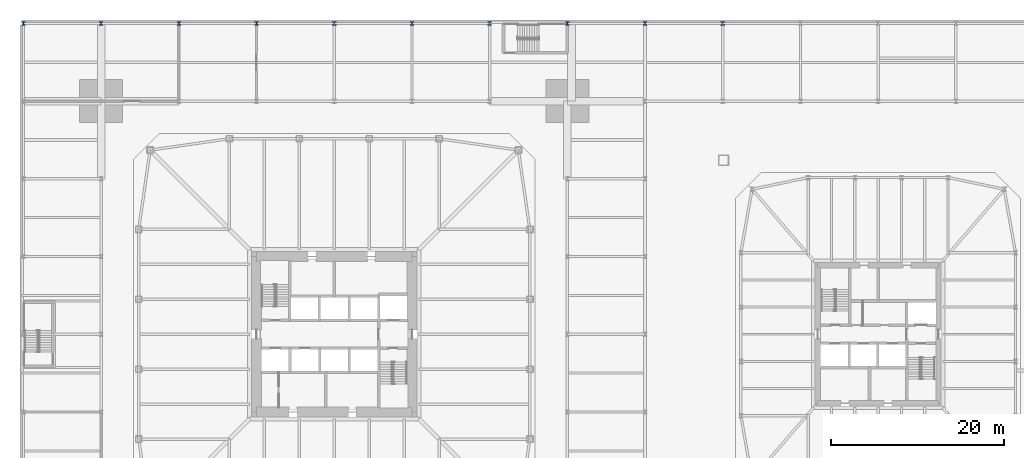
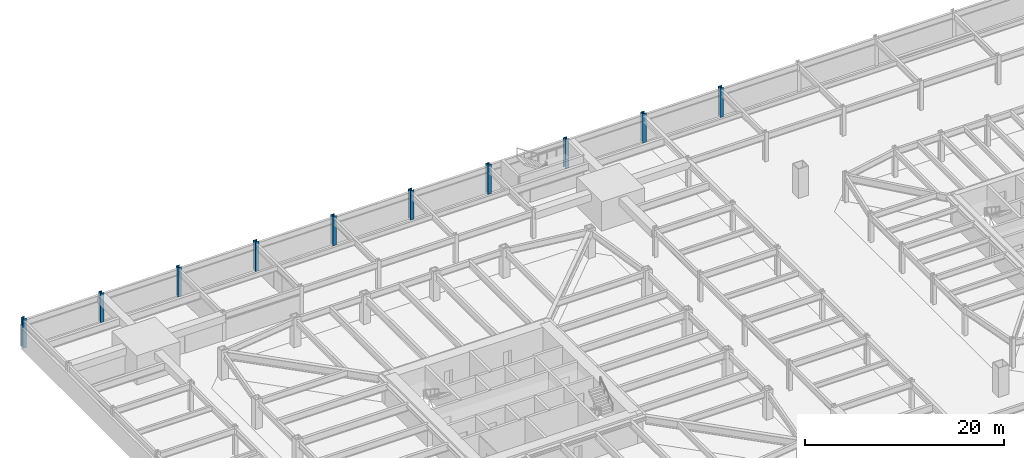
# One storey, part 4 of 17: 10 columns.
"""IFC4 building model written with IfcOpenShell, lengths in metres."""

from ifc_helpers import new_model, si_unit, direction, frame, origin, origin_2d, place, context, subcontext, project, spatial, i_section, extrude, material, material_profile, profile_set, type_object, element, save


model = new_model("IFC4")

# Units and contexts
model_context = context("Model", 3, precision=1e-05, world=origin(), true_north=direction((0.0, 1.0)))
body_context = subcontext(model_context, "Body", "Model", "MODEL_VIEW")
ifc_project = project(units=[si_unit("LENGTHUNIT", "METRE"), si_unit("AREAUNIT", "SQUARE_METRE"), si_unit("VOLUMEUNIT", "CUBIC_METRE"), si_unit("PLANEANGLEUNIT", "RADIAN"), si_unit("MASSUNIT", "GRAM", prefix="KILO")], contexts=[model_context])

# Site, building, storey
site_placement = place(None, origin())
site = spatial("IfcSite", under=ifc_project, at=site_placement, CompositionType="ELEMENT")
building_placement = place(site_placement, origin())
building = spatial("IfcBuilding", under=site, at=building_placement, Name="Iwan Alto Co-Living Towers", CompositionType="ELEMENT")
storey_placement = place(building_placement, frame((0.0, 0.0, -3.60009765625)))
storey = spatial("IfcBuildingStorey", under=building, at=storey_placement, Name="B1", CompositionType="ELEMENT", Elevation=-3.60009765625)

# Columns
ifc_material = material(Name="Steel ASTM A992 Gr 50", Category="steel")
ifc_material_profile = material_profile(ifc_material, i_section(OverallWidth=0.411376953125, OverallDepth=0.434326171875, WebThickness=0.035888671875, FlangeThickness=0.057373046875, at=origin_2d()), Name="W14X311")
ifc_profile_set = profile_set([ifc_material_profile], Name="Steel ASTM A992 Gr 50")
column_type = type_object("IfcColumnType", Name="PODIUM COLUMN W14X311", PredefinedType="COLUMN", material=ifc_profile_set)
for number, where, z_axis, x_axis, name in (
    (1, (-36.0, 36.0, 0.0), (0.0, 0.0, 1.0), (1.0, 0.0, 0.0), "Podium column 1/I B1"),
    (2, (-27.0, 36.0, 0.0), (0.0, 0.0, 1.0), (1.0, 0.0, 0.0), "Podium column 2/I B1"),
    (3, (-18.0, 36.0, 0.0), (0.0, 0.0, 1.0), (1.0, 0.0, 0.0), "Podium column 3/I B1"),
    (4, (-9.0, 36.0, 0.0), (0.0, 0.0, 1.0), (1.0, 0.0, 0.0), "Podium column 4/I B1"),
    (5, (0.0, 36.0, 0.0), (0.0, 0.0, 1.0), (1.0, 0.0, 0.0), "Podium column 5/I B1"),
    (6, (9.0, 36.0, 0.0), (0.0, 0.0, 1.0), (1.0, 0.0, 0.0), "Podium column 6/I B1"),
    (7, (18.0, 36.0, 0.0), (0.0, 0.0, 1.0), (1.0, 0.0, 0.0), "Podium column 7/I B1"),
    (8, (27.0, 36.0, 0.0), (0.0, 0.0, 1.0), (1.0, 0.0, 0.0), "Podium column 8/I B1"),
    (9, (36.0, 36.0, 0.0), (0.0, 0.0, 1.0), (1.0, 0.0, 0.0), "Podium column 9/I B1"),
    (10, (45.0, 36.0, 0.0), (0.0, 0.0, 1.0), (1.0, 0.0, 0.0), "Podium column 10/I B1"),
):
    element("IfcColumn", number, at=place(storey_placement, frame(where, z_axis=z_axis, x_axis=x_axis)), inside=storey, type_object=column_type, Name=name, PredefinedType="COLUMN", context=body_context, shape_type="SweptSolid", body=[
        extrude(i_section(OverallWidth=0.411376953125, OverallDepth=0.434326171875, WebThickness=0.035888671875, FlangeThickness=0.057373046875, at=origin_2d()), origin(), (0.0, 0.0, 1.0), 3.60009765625),
    ])

save(model, "model.ifc")
